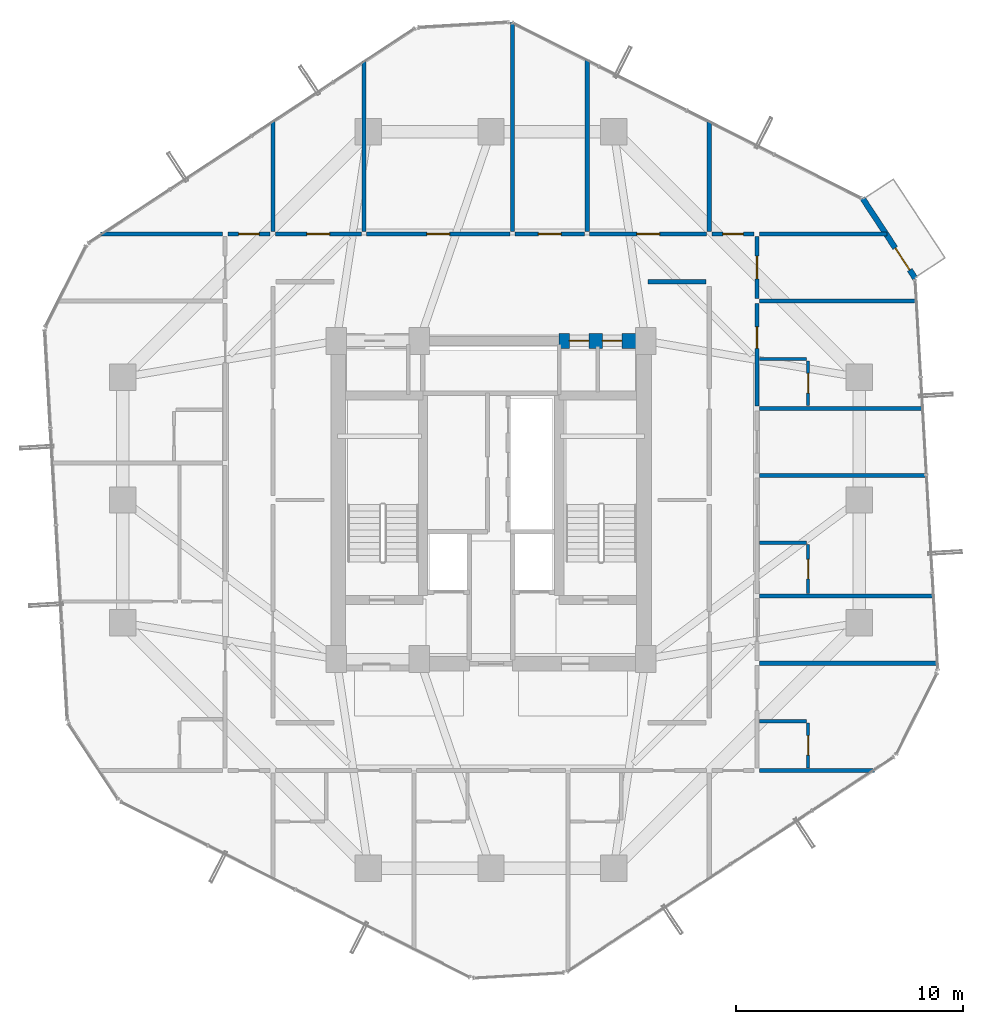
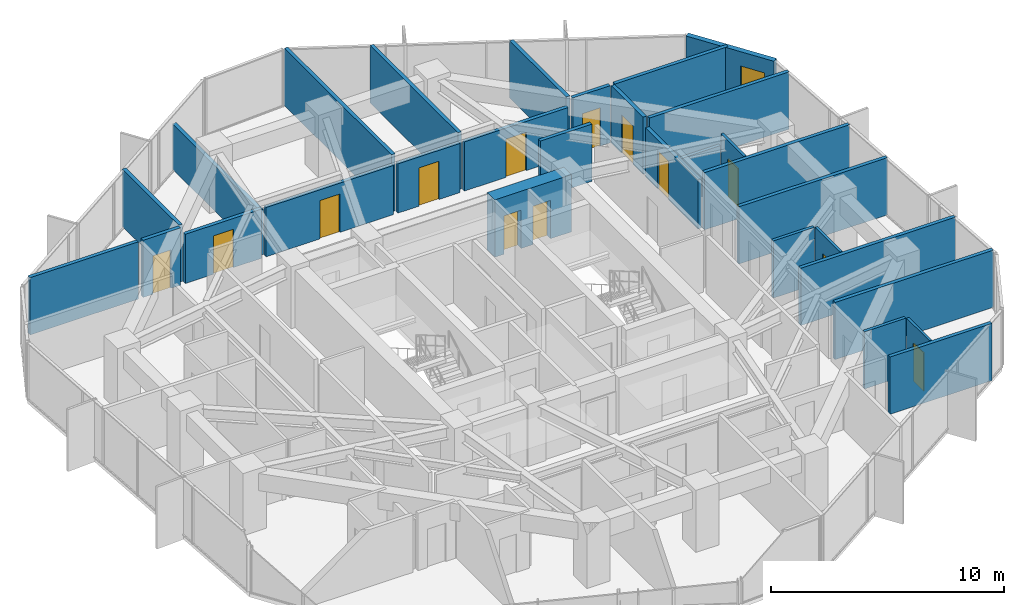
# One storey, part 30 of 33: 30 walls, 14 doors, 14 openings.
"""IFC4 building model written with IfcOpenShell, lengths in metres."""

from ifc_helpers import new_model, si_unit, direction, frame, frame_2d, origin, place, context, subcontext, project, spatial, rectangle, extrude, source, transform, mapped, material, layer, layer_set, type_object, element, fill, save


model = new_model("IFC4")

# Units and contexts
model_context = context("Model", 3, precision=1e-05, world=origin(), true_north=direction((0.0, 1.0)))
body_context = subcontext(model_context, "Body", "Model", "MODEL_VIEW")
ifc_project = project(units=[si_unit("LENGTHUNIT", "METRE"), si_unit("AREAUNIT", "SQUARE_METRE"), si_unit("VOLUMEUNIT", "CUBIC_METRE"), si_unit("PLANEANGLEUNIT", "RADIAN"), si_unit("MASSUNIT", "GRAM", prefix="KILO")], contexts=[model_context])

# Site, building, storey
site_placement = place(None, origin())
site = spatial("IfcSite", under=ifc_project, at=site_placement, CompositionType="ELEMENT")
building_placement = place(site_placement, origin())
building = spatial("IfcBuilding", under=site, at=building_placement, Name="Veraguas Prism Commons", CompositionType="ELEMENT")
storey_placement = place(building_placement, frame((0.0, 0.0, 139.25)))
storey = spatial("IfcBuildingStorey", under=building, at=storey_placement, Name="L39", CompositionType="ELEMENT", Elevation=139.25)

# Wall, openings, doors
ifc_material_1 = material(Name="Concrete C55/67", Category="concrete")
ifc_layer_1 = layer(ifc_material_1, 0.64990234375, Name="Core Outer Shear Wall Mid RC 650", Category="concrete")
ifc_layer_set_1 = layer_set([ifc_layer_1], Name="Concrete C55/67")
wall_type_1 = type_object("IfcWallType", Name="Core Outer Shear Wall Mid RC 650", PredefinedType="SHEAR", material=ifc_layer_set_1)
wall_1_placement = place(storey_placement, frame((27.0, 31.0, 0.0), z_axis=(0.0, 0.0, 1.0), x_axis=(1.0, 0.0, 0.0)))
wall_1 = element("IfcWall", 1, at=wall_1_placement, inside=storey, type_object=wall_type_1, Name="Central Core North-East Shear Wall L39", PredefinedType="SHEAR", context=body_context, shape_type="SweptSolid", body=[
    extrude(rectangle(XDim=3.800048828125, YDim=0.64990234375, at=frame_2d((1.89990234375, 0.0))), origin(), (0.0, 0.0, 1.0), 3.0),
])
opening_1_placement = place(wall_1_placement, frame((0.449951171875, 0.0, 0.0)))
opening_1 = element("IfcOpeningElement", 2, at=opening_1_placement, cuts=wall_1, Name="Opening DR-12", PredefinedType="OPENING", context=body_context, shape_type="SweptSolid", body=[
    extrude(rectangle(XDim=0.860107421875, YDim=2.010009765625, at=frame_2d((0.43017578125, 1.0048828125))), frame((0.0, 0.3349609375, 0.0), z_axis=(0.0, -1.0, 0.0), x_axis=(1.0, 0.0, 0.0)), (0.0, 0.0, 1.0), 0.669921875),
])
opening_2_placement = place(wall_1_placement, frame((1.89990234375, 0.0, 0.0)))
opening_2 = element("IfcOpeningElement", 3, at=opening_2_placement, cuts=wall_1, Name="Opening DR-12", PredefinedType="OPENING", context=body_context, shape_type="SweptSolid", body=[
    extrude(rectangle(XDim=0.860107421875, YDim=2.010009765625, at=frame_2d((0.43017578125, 1.0048828125))), frame((0.0, 0.3349609375, 0.0), z_axis=(0.0, -1.0, 0.0), x_axis=(1.0, 0.0, 0.0)), (0.0, 0.0, 1.0), 0.669921875),
])
ifc_material_2 = material(Name="Steel fire-rated door assembly", Category="steel")
door_type_1 = type_object("IfcDoorType", Name="Core WC Fire Door 860x2010", OperationType="NOTDEFINED", PredefinedType="DOOR", material=ifc_material_2)
shared_shape_1 = source(origin(), body_context, "Body", "SweptSolid", [
    extrude(rectangle(XDim=0.860107421875, YDim=2.010009765625, at=frame_2d((0.43017578125, 1.0048828125))), frame((0.0, 0.02490234375, 0.0), z_axis=(0.0, -1.0, 0.0), x_axis=(1.0, 0.0, 0.0)), (0.0, 0.0, 1.0), 0.050048828125),
])
door_1_placement = place(opening_1_placement, origin())
door_1 = element("IfcDoor", 4, at=door_1_placement, inside=storey, type_object=door_type_1, Name="Core NE Room A Door L39", OperationType="SINGLE_SWING_RIGHT", OverallHeight=2.010009765625, OverallWidth=0.860107421875, PredefinedType="DOOR", context=body_context, shape_type="MappedRepresentation", body=[
    mapped(shared_shape_1, transform((0.0, 0.0, 0.0), scale=1.0)),
])
fill(opening_1, door_1)
door_2_placement = place(opening_2_placement, origin())
door_2 = element("IfcDoor", 5, at=door_2_placement, inside=storey, type_object=door_type_1, Name="Core NE Room B Door L39", OperationType="SINGLE_SWING_LEFT", OverallHeight=2.010009765625, OverallWidth=0.860107421875, PredefinedType="DOOR", context=body_context, shape_type="MappedRepresentation", body=[
    mapped(shared_shape_1, transform((0.0, 0.0, 0.0), scale=1.0)),
])
fill(opening_2, door_2)

# Walls
ifc_material_3 = material(Name="Autoclaved aerated masonry block 10 MPa", Category="masonry")
ifc_layer_2 = layer(ifc_material_3, 0.179931640625, Name="Corridor and Inter-Tenancy Partition 180", Category="masonry")
ifc_layer_set_2 = layer_set([ifc_layer_2], Name="Autoclaved aerated masonry block 10 MPa")
wall_type_2 = type_object("IfcWallType", Name="Corridor and Inter-Tenancy Partition 180", PredefinedType="PARTITIONING", material=ifc_layer_set_2)
wall_2_placement = place(storey_placement, frame((30.89990234375, 33.60009765625, 0.0), z_axis=(0.0, 0.0, 1.0), x_axis=(1.0, 0.0, 0.0)))
element("IfcWall", 6, at=wall_2_placement, inside=storey, type_object=wall_type_2, Name="WL-L39-IREN", PredefinedType="PARTITIONING", context=body_context, shape_type="SweptSolid", body=[
    extrude(rectangle(XDim=2.550048828125, YDim=0.179931640625, at=frame_2d((1.27490234375, 0.0))), origin(), (0.0, 0.0, 1.0), 3.0),
])
wall_3_placement = place(storey_placement, frame((14.39990234375, 35.820068359375, 0.0), z_axis=(0.0, 0.0, 1.0), x_axis=(0.0, 1.0, 0.0)))
element("IfcWall", 7, at=wall_3_placement, inside=storey, type_object=wall_type_2, Name="WL-L39-PT014", PredefinedType="PARTITIONING", context=body_context, shape_type="SweptSolid", body=[
    extrude(rectangle(XDim=4.861083984375, YDim=0.179931640625, at=frame_2d((2.4306640625, 0.0))), origin(), (0.0, 0.0, 1.0), 3.0),
])
wall_4_placement = place(storey_placement, frame((33.60009765625, 35.820068359375, 0.0), z_axis=(0.0, 0.0, 1.0), x_axis=(0.0, 1.0, 0.0)))
element("IfcWall", 8, at=wall_4_placement, inside=storey, type_object=wall_type_2, Name="WL-L39-PT015", PredefinedType="PARTITIONING", context=body_context, shape_type="SweptSolid", body=[
    extrude(rectangle(XDim=4.857666015625, YDim=0.179931640625, at=frame_2d((2.4287109375, 0.0))), origin(), (0.0, 0.0, 1.0), 3.0),
])

# Wall, opening, door
wall_5_placement = place(storey_placement, frame((14.510009765625, 35.699951171875, 0.0), z_axis=(0.0, 0.0, 1.0), x_axis=(1.0, 0.0, 0.0)))
wall_5 = element("IfcWall", 9, at=wall_5_placement, inside=storey, type_object=wall_type_2, Name="WL-L39-PT016", PredefinedType="PARTITIONING", context=body_context, shape_type="SweptSolid", body=[
    extrude(rectangle(XDim=3.787109375, YDim=0.179931640625, at=frame_2d((1.8935546875, 0.0))), origin(), (0.0, 0.0, 1.0), 2.580078125),
])
opening_3_placement = place(wall_5_placement, frame((1.3935546875, 0.0, 0.0)))
opening_3 = element("IfcOpeningElement", 10, at=opening_3_placement, cuts=wall_5, Name="Opening DR-13", PredefinedType="OPENING", context=body_context, shape_type="SweptSolid", body=[
    extrude(rectangle(XDim=1.0, YDim=2.010009765625, at=frame_2d((0.5, 1.0048828125))), frame((0.0, 0.099853515625, 0.0), z_axis=(0.0, -1.0, 0.0), x_axis=(1.0, 0.0, 0.0)), (0.0, 0.0, 1.0), 0.199951171875),
])
door_type_2 = type_object("IfcDoorType", Name="Core Accessible WC and Clinic Fire Door 1000x2010", OperationType="NOTDEFINED", PredefinedType="DOOR", material=ifc_material_2)
shared_shape_2 = source(origin(), body_context, "Body", "SweptSolid", [
    extrude(rectangle(XDim=1.0, YDim=2.010009765625, at=frame_2d((0.5, 1.0048828125))), frame((0.0, 0.02490234375, 0.0), z_axis=(0.0, -1.0, 0.0), x_axis=(1.0, 0.0, 0.0)), (0.0, 0.0, 1.0), 0.050048828125),
])
door_3_placement = place(opening_3_placement, origin())
door_3 = element("IfcDoor", 11, at=door_3_placement, inside=storey, type_object=door_type_2, Name="Residents Study Room Door", OperationType="SINGLE_SWING_LEFT", OverallHeight=2.010009765625, OverallWidth=1.0, PredefinedType="DOOR", context=body_context, shape_type="MappedRepresentation", body=[
    mapped(shared_shape_2, transform((0.0, 0.0, 0.0), scale=1.0)),
])
fill(opening_3, door_3)

wall_6_placement = place(storey_placement, frame((18.51708984375, 35.699951171875, 0.0), z_axis=(0.0, 0.0, 1.0), x_axis=(1.0, 0.0, 0.0)))
wall_6 = element("IfcWall", 12, at=wall_6_placement, inside=storey, type_object=wall_type_2, Name="WL-L39-PT017", PredefinedType="PARTITIONING", context=body_context, shape_type="SweptSolid", body=[
    extrude(rectangle(XDim=6.31689453125, YDim=0.179931640625, at=frame_2d((3.158447265625, 0.0))), origin(), (0.0, 0.0, 1.0), 2.580078125),
])
opening_4_placement = place(wall_6_placement, frame((2.658447265625, 0.0, 0.0)))
opening_4 = element("IfcOpeningElement", 13, at=opening_4_placement, cuts=wall_6, Name="Opening DR-13", PredefinedType="OPENING", context=body_context, shape_type="SweptSolid", body=[
    extrude(rectangle(XDim=1.0, YDim=2.010009765625, at=frame_2d((0.5, 1.0048828125))), frame((0.0, 0.099853515625, 0.0), z_axis=(0.0, -1.0, 0.0), x_axis=(1.0, 0.0, 0.0)), (0.0, 0.0, 1.0), 0.199951171875),
])
door_4_placement = place(opening_4_placement, origin())
door_4 = element("IfcDoor", 14, at=door_4_placement, inside=storey, type_object=door_type_2, Name="Co-op Store N Door", OperationType="SINGLE_SWING_RIGHT", OverallHeight=2.010009765625, OverallWidth=1.0, PredefinedType="DOOR", context=body_context, shape_type="MappedRepresentation", body=[
    mapped(shared_shape_2, transform((0.0, 0.0, 0.0), scale=1.0)),
])
fill(opening_4, door_4)

# Walls
wall_7_placement = place(storey_placement, frame((18.406982421875, 35.820068359375, 0.0), z_axis=(0.0, 0.0, 1.0), x_axis=(0.0, 1.0, 0.0)))
element("IfcWall", 15, at=wall_7_placement, inside=storey, type_object=wall_type_2, Name="WL-L39-PT018", PredefinedType="PARTITIONING", context=body_context, shape_type="SweptSolid", body=[
    extrude(rectangle(XDim=7.4951171875, YDim=0.179931640625, at=frame_2d((3.74755859375, 0.0))), origin(), (0.0, 0.0, 1.0), 2.3779296875),
])
wall_8_placement = place(storey_placement, frame((24.944091796875, 35.820068359375, 0.0), z_axis=(0.0, 0.0, 1.0), x_axis=(0.0, 1.0, 0.0)))
element("IfcWall", 16, at=wall_8_placement, inside=storey, type_object=wall_type_2, Name="WL-L39-PT019", PredefinedType="PARTITIONING", context=body_context, shape_type="SweptSolid", body=[
    extrude(rectangle(XDim=9.207275390625, YDim=0.179931640625, at=frame_2d((4.603515625, 0.0))), origin(), (0.0, 0.0, 1.0), 3.0),
])

# Wall, opening, door
wall_9_placement = place(storey_placement, frame((25.053955078125, 35.699951171875, 0.0), z_axis=(0.0, 0.0, 1.0), x_axis=(1.0, 0.0, 0.0)))
wall_9 = element("IfcWall", 17, at=wall_9_placement, inside=storey, type_object=wall_type_2, Name="WL-L39-PT020", PredefinedType="PARTITIONING", context=body_context, shape_type="SweptSolid", body=[
    extrude(rectangle(XDim=3.069091796875, YDim=0.179931640625, at=frame_2d((1.53466796875, 0.0))), origin(), (0.0, 0.0, 1.0), 2.580078125),
])
opening_5_placement = place(wall_9_placement, frame((1.034423828125, 0.0, 0.0)))
opening_5 = element("IfcOpeningElement", 18, at=opening_5_placement, cuts=wall_9, Name="Opening DR-13", PredefinedType="OPENING", context=body_context, shape_type="SweptSolid", body=[
    extrude(rectangle(XDim=1.0, YDim=2.010009765625, at=frame_2d((0.5, 1.0048828125))), frame((0.0, 0.099853515625, 0.0), z_axis=(0.0, -1.0, 0.0), x_axis=(1.0, 0.0, 0.0)), (0.0, 0.0, 1.0), 0.199951171875),
])
door_5_placement = place(opening_5_placement, origin())
door_5 = element("IfcDoor", 19, at=door_5_placement, inside=storey, type_object=door_type_2, Name="Shared Laundry Room Door", OperationType="SINGLE_SWING_LEFT", OverallHeight=2.010009765625, OverallWidth=1.0, PredefinedType="DOOR", context=body_context, shape_type="MappedRepresentation", body=[
    mapped(shared_shape_2, transform((0.0, 0.0, 0.0), scale=1.0)),
])
fill(opening_5, door_5)

wall_10_placement = place(storey_placement, frame((28.343017578125, 35.699951171875, 0.0), z_axis=(0.0, 0.0, 1.0), x_axis=(1.0, 0.0, 0.0)))
wall_10 = element("IfcWall", 20, at=wall_10_placement, inside=storey, type_object=wall_type_2, Name="WL-L39-PT021", PredefinedType="PARTITIONING", context=body_context, shape_type="SweptSolid", body=[
    extrude(rectangle(XDim=5.14697265625, YDim=0.179931640625, at=frame_2d((2.573486328125, 0.0))), origin(), (0.0, 0.0, 1.0), 2.580078125),
])
opening_6_placement = place(wall_10_placement, frame((2.073486328125, 0.0, 0.0)))
opening_6 = element("IfcOpeningElement", 21, at=opening_6_placement, cuts=wall_10, Name="Opening DR-13", PredefinedType="OPENING", context=body_context, shape_type="SweptSolid", body=[
    extrude(rectangle(XDim=1.0, YDim=2.010009765625, at=frame_2d((0.5, 1.0048828125))), frame((0.0, 0.099853515625, 0.0), z_axis=(0.0, -1.0, 0.0), x_axis=(1.0, 0.0, 0.0)), (0.0, 0.0, 1.0), 0.199951171875),
])
door_6_placement = place(opening_6_placement, origin())
door_6 = element("IfcDoor", 22, at=door_6_placement, inside=storey, type_object=door_type_2, Name="Co-op Store N Door", OperationType="SINGLE_SWING_RIGHT", OverallHeight=2.010009765625, OverallWidth=1.0, PredefinedType="DOOR", context=body_context, shape_type="MappedRepresentation", body=[
    mapped(shared_shape_2, transform((0.0, 0.0, 0.0), scale=1.0)),
])
fill(opening_6, door_6)

# Walls
wall_11_placement = place(storey_placement, frame((28.23291015625, 35.820068359375, 0.0), z_axis=(0.0, 0.0, 1.0), x_axis=(0.0, 1.0, 0.0)))
element("IfcWall", 23, at=wall_11_placement, inside=storey, type_object=wall_type_2, Name="WL-L39-PT022", PredefinedType="PARTITIONING", context=body_context, shape_type="SweptSolid", body=[
    extrude(rectangle(XDim=7.5546875, YDim=0.179931640625, at=frame_2d((3.77734375, 0.0))), origin(), (0.0, 0.0, 1.0), 3.0),
])
wall_12_placement = place(storey_placement, frame((12.179931640625, 35.699951171875, 0.0), z_axis=(0.0, 0.0, 1.0), x_axis=(-1.0, 0.0, 0.0)))
element("IfcWall", 24, at=wall_12_placement, inside=storey, type_object=wall_type_2, Name="WL-L39-PT024", PredefinedType="PARTITIONING", context=body_context, shape_type="SweptSolid", body=[
    extrude(rectangle(XDim=5.357421875, YDim=0.179931640625, at=frame_2d((2.6787109375, 0.0))), origin(), (0.0, 0.0, 1.0), 3.0),
])
wall_13_placement = place(storey_placement, frame((35.820068359375, 12.10009765625, 0.0), z_axis=(0.0, 0.0, 1.0), x_axis=(1.0, 0.0, 0.0)))
element("IfcWall", 25, at=wall_13_placement, inside=storey, type_object=wall_type_2, Name="WL-L39-PT037", PredefinedType="PARTITIONING", context=body_context, shape_type="SweptSolid", body=[
    extrude(rectangle(XDim=5.05322265625, YDim=0.179931640625, at=frame_2d((2.526611328125, 0.0))), origin(), (0.0, 0.0, 1.0), 3.0),
])
wall_14_placement = place(storey_placement, frame((35.820068359375, 35.699951171875, 0.0), z_axis=(0.0, 0.0, 1.0), x_axis=(1.0, 0.0, 0.0)))
element("IfcWall", 26, at=wall_14_placement, inside=storey, type_object=wall_type_2, Name="WL-L39-PT038", PredefinedType="PARTITIONING", context=body_context, shape_type="SweptSolid", body=[
    extrude(rectangle(XDim=5.59716796875, YDim=0.179931640625, at=frame_2d((2.798583984375, 0.0))), origin(), (0.0, 0.0, 1.0), 3.0),
])
wall_15_placement = place(storey_placement, frame((35.820068359375, 16.818115234375, 0.0), z_axis=(0.0, 0.0, 1.0), x_axis=(1.0, 0.0, 0.0)))
element("IfcWall", 27, at=wall_15_placement, inside=storey, type_object=wall_type_2, Name="WL-L39-PT040", PredefinedType="PARTITIONING", context=body_context, shape_type="SweptSolid", body=[
    extrude(rectangle(XDim=7.84130859375, YDim=0.179931640625, at=frame_2d((3.920654296875, 0.0))), origin(), (0.0, 0.0, 1.0), 3.0),
])
wall_16_placement = place(storey_placement, frame((35.820068359375, 19.76806640625, 0.0), z_axis=(0.0, 0.0, 1.0), x_axis=(1.0, 0.0, 0.0)))
element("IfcWall", 28, at=wall_16_placement, inside=storey, type_object=wall_type_2, Name="WL-L39-PT044", PredefinedType="PARTITIONING", context=body_context, shape_type="SweptSolid", body=[
    extrude(rectangle(XDim=7.670166015625, YDim=0.179931640625, at=frame_2d((3.8349609375, 0.0))), origin(), (0.0, 0.0, 1.0), 3.0),
])
wall_17_placement = place(storey_placement, frame((35.820068359375, 25.08203125, 0.0), z_axis=(0.0, 0.0, 1.0), x_axis=(1.0, 0.0, 0.0)))
element("IfcWall", 29, at=wall_17_placement, inside=storey, type_object=wall_type_2, Name="WL-L39-PT046", PredefinedType="PARTITIONING", context=body_context, shape_type="SweptSolid", body=[
    extrude(rectangle(XDim=7.36181640625, YDim=0.179931640625, at=frame_2d((3.680908203125, 0.0))), origin(), (0.0, 0.0, 1.0), 3.0),
])
wall_18_placement = place(storey_placement, frame((35.820068359375, 28.031982421875, 0.0), z_axis=(0.0, 0.0, 1.0), x_axis=(1.0, 0.0, 0.0)))
element("IfcWall", 30, at=wall_18_placement, inside=storey, type_object=wall_type_2, Name="WL-L39-PT050", PredefinedType="PARTITIONING", context=body_context, shape_type="SweptSolid", body=[
    extrude(rectangle(XDim=7.19091796875, YDim=0.179931640625, at=frame_2d((3.595458984375, 0.0))), origin(), (0.0, 0.0, 1.0), 3.0),
])

# Wall, opening, door
wall_19_placement = place(storey_placement, frame((35.699951171875, 32.860107421875, 0.0), z_axis=(0.0, 0.0, 1.0), x_axis=(0.0, 1.0, 0.0)))
wall_19 = element("IfcWall", 31, at=wall_19_placement, inside=storey, type_object=wall_type_2, Name="WL-L39-PT051", PredefinedType="PARTITIONING", context=body_context, shape_type="SweptSolid", body=[
    extrude(rectangle(XDim=2.72998046875, YDim=0.179931640625, at=frame_2d((1.364990234375, 0.0))), origin(), (0.0, 0.0, 1.0), 3.0),
])
opening_7_placement = place(wall_19_placement, frame((0.864990234375, 0.0, 0.0)))
opening_7 = element("IfcOpeningElement", 32, at=opening_7_placement, cuts=wall_19, Name="Opening DR-13", PredefinedType="OPENING", context=body_context, shape_type="SweptSolid", body=[
    extrude(rectangle(XDim=1.0, YDim=2.010009765625, at=frame_2d((0.5, 1.0048828125))), frame((0.0, 0.099853515625, 0.0), z_axis=(0.0, -1.0, 0.0), x_axis=(1.0, 0.0, 0.0)), (0.0, 0.0, 1.0), 0.199951171875),
])
door_7_placement = place(opening_7_placement, origin())
door_7 = element("IfcDoor", 33, at=door_7_placement, inside=storey, type_object=door_type_2, Name="Quiet Study E Door", OperationType="SINGLE_SWING_RIGHT", OverallHeight=2.010009765625, OverallWidth=1.0, PredefinedType="DOOR", context=body_context, shape_type="MappedRepresentation", body=[
    mapped(shared_shape_2, transform((0.0, 0.0, 0.0), scale=1.0)),
])
fill(opening_7, door_7)

# Wall
wall_20_placement = place(storey_placement, frame((35.820068359375, 32.75, 0.0), z_axis=(0.0, 0.0, 1.0), x_axis=(1.0, 0.0, 0.0)))
element("IfcWall", 34, at=wall_20_placement, inside=storey, type_object=wall_type_2, Name="WL-L39-PT052", PredefinedType="PARTITIONING", context=body_context, shape_type="SweptSolid", body=[
    extrude(rectangle(XDim=6.917236328125, YDim=0.179931640625, at=frame_2d((3.45849609375, 0.0))), origin(), (0.0, 0.0, 1.0), 3.0),
])

# Wall, opening, door
wall_21_placement = place(storey_placement, frame((35.699951171875, 28.14208984375, 0.0), z_axis=(0.0, 0.0, 1.0), x_axis=(0.0, 1.0, 0.0)))
wall_21 = element("IfcWall", 35, at=wall_21_placement, inside=storey, type_object=wall_type_2, Name="WL-L39-PT053", PredefinedType="PARTITIONING", context=body_context, shape_type="SweptSolid", body=[
    extrude(rectangle(XDim=4.497802734375, YDim=0.179931640625, at=frame_2d((2.2490234375, 0.0))), origin(), (0.0, 0.0, 1.0), 2.580078125),
])
opening_8_placement = place(wall_21_placement, frame((2.529541015625, 0.0, 0.0)))
opening_8 = element("IfcOpeningElement", 36, at=opening_8_placement, cuts=wall_21, Name="Opening DR-01", PredefinedType="OPENING", context=body_context, shape_type="SweptSolid", body=[
    extrude(rectangle(XDim=0.949951171875, YDim=2.02001953125, at=frame_2d((0.47509765625, 1.010009765625))), frame((0.0, 0.099853515625, 0.0), z_axis=(0.0, -1.0, 0.0), x_axis=(1.0, 0.0, 0.0)), (0.0, 0.0, 1.0), 0.199951171875),
])
ifc_material_4 = material(Name="Anodised aluminium EN AW-6063 T6", Category="aluminium")
door_type_3 = type_object("IfcDoorType", Name="Apartment Entrance Fire Door 950x2020", OperationType="NOTDEFINED", PredefinedType="DOOR", material=ifc_material_4)
shared_shape_3 = source(origin(), body_context, "Body", "SweptSolid", [
    extrude(rectangle(XDim=0.949951171875, YDim=2.02001953125, at=frame_2d((0.47509765625, 1.010009765625))), frame((0.0, 0.02490234375, 0.0), z_axis=(0.0, -1.0, 0.0), x_axis=(1.0, 0.0, 0.0)), (0.0, 0.0, 1.0), 0.050048828125),
])
door_8_placement = place(opening_8_placement, origin())
door_8 = element("IfcDoor", 37, at=door_8_placement, inside=storey, type_object=door_type_3, Name="Studio 39H Entrance Door", OperationType="SINGLE_SWING_LEFT", OverallHeight=2.02001953125, OverallWidth=0.949951171875, PredefinedType="DOOR", context=body_context, shape_type="MappedRepresentation", body=[
    mapped(shared_shape_3, transform((0.0, 0.0, 0.0), scale=1.0)),
])
fill(opening_8, door_8)

wall_22_placement = place(storey_placement, frame((12.419921875, 35.699951171875, 0.0), z_axis=(0.0, 0.0, 1.0), x_axis=(1.0, 0.0, 0.0)))
wall_22 = element("IfcWall", 38, at=wall_22_placement, inside=storey, type_object=wall_type_2, Name="WL-L39-PT058", PredefinedType="PARTITIONING", context=body_context, shape_type="SweptSolid", body=[
    extrude(rectangle(XDim=1.860107421875, YDim=0.179931640625, at=frame_2d((0.93017578125, 0.0))), origin(), (0.0, 0.0, 1.0), 3.0),
])
opening_9_placement = place(wall_22_placement, frame((0.47998046875, 0.0, 0.0)))
opening_9 = element("IfcOpeningElement", 39, at=opening_9_placement, cuts=wall_22, Name="Opening DR-14", PredefinedType="OPENING", context=body_context, shape_type="SweptSolid", body=[
    extrude(rectangle(XDim=0.89990234375, YDim=2.010009765625, at=frame_2d((0.449951171875, 1.0048828125))), frame((0.0, 0.099853515625, 0.0), z_axis=(0.0, -1.0, 0.0), x_axis=(1.0, 0.0, 0.0)), (0.0, 0.0, 1.0), 0.199951171875),
])
door_type_4 = type_object("IfcDoorType", Name="Core Service Room Fire Door 900x2010", OperationType="NOTDEFINED", PredefinedType="DOOR", material=ifc_material_2)
shared_shape_4 = source(origin(), body_context, "Body", "SweptSolid", [
    extrude(rectangle(XDim=0.89990234375, YDim=2.010009765625, at=frame_2d((0.449951171875, 1.0048828125))), frame((0.0, 0.02490234375, 0.0), z_axis=(0.0, -1.0, 0.0), x_axis=(1.0, 0.0, 0.0)), (0.0, 0.0, 1.0), 0.050048828125),
])
door_9_placement = place(opening_9_placement, origin())
door_9 = element("IfcDoor", 40, at=door_9_placement, inside=storey, type_object=door_type_4, Name="Residents Cycle and Pram Store NW Door", OperationType="SINGLE_SWING_LEFT", OverallHeight=2.010009765625, OverallWidth=0.89990234375, PredefinedType="DOOR", context=body_context, shape_type="MappedRepresentation", body=[
    mapped(shared_shape_4, transform((0.0, 0.0, 0.0), scale=1.0)),
])
fill(opening_9, door_9)

wall_23_placement = place(storey_placement, frame((33.719970703125, 35.699951171875, 0.0), z_axis=(0.0, 0.0, 1.0), x_axis=(1.0, 0.0, 0.0)))
wall_23 = element("IfcWall", 41, at=wall_23_placement, inside=storey, type_object=wall_type_2, Name="WL-L39-PT059", PredefinedType="PARTITIONING", context=body_context, shape_type="SweptSolid", body=[
    extrude(rectangle(XDim=1.860107421875, YDim=0.179931640625, at=frame_2d((0.93017578125, 0.0))), origin(), (0.0, 0.0, 1.0), 3.0),
])
opening_10_placement = place(wall_23_placement, frame((0.47998046875, 0.0, 0.0)))
opening_10 = element("IfcOpeningElement", 42, at=opening_10_placement, cuts=wall_23, Name="Opening DR-14", PredefinedType="OPENING", context=body_context, shape_type="SweptSolid", body=[
    extrude(rectangle(XDim=0.89990234375, YDim=2.010009765625, at=frame_2d((0.449951171875, 1.0048828125))), frame((0.0, 0.099853515625, 0.0), z_axis=(0.0, -1.0, 0.0), x_axis=(1.0, 0.0, 0.0)), (0.0, 0.0, 1.0), 0.199951171875),
])
door_10_placement = place(opening_10_placement, origin())
door_10 = element("IfcDoor", 43, at=door_10_placement, inside=storey, type_object=door_type_4, Name="Residents Corner Study Room NE Door", OperationType="SINGLE_SWING_RIGHT", OverallHeight=2.010009765625, OverallWidth=0.89990234375, PredefinedType="DOOR", context=body_context, shape_type="MappedRepresentation", body=[
    mapped(shared_shape_4, transform((0.0, 0.0, 0.0), scale=1.0)),
])
fill(opening_10, door_10)

ifc_material_5 = material(Name="Precast concrete C40/50", Category="concrete")
ifc_layer_3 = layer(ifc_material_5, 0.25, Name="External Loggia and Portal Wall 250", Category="concrete")
ifc_layer_set_3 = layer_set([ifc_layer_3], Name="Precast concrete C40/50")
wall_type_3 = type_object("IfcWallType", Name="External Loggia and Portal Wall 250", PredefinedType="SOLIDWALL", material=ifc_layer_set_3)
wall_24_placement = place(storey_placement, frame((42.669921875, 33.739990234375, 0.0), z_axis=(0.0, 0.0, 1.0), x_axis=(-0.54932518159, 0.835608667303, 0.0)))
wall_24 = element("IfcWall", 44, at=wall_24_placement, inside=storey, type_object=wall_type_3, Name="Corner Loggia Wall L39-C1", PredefinedType="SOLIDWALL", context=body_context, shape_type="SweptSolid", body=[
    extrude(rectangle(XDim=4.233154296875, YDim=0.25, at=frame_2d((2.11669921875, 0.0))), origin(), (0.0, 0.0, 1.0), 3.0),
])
opening_11_placement = place(wall_24_placement, frame((0.4599609375, 0.0, 0.0)))
opening_11 = element("IfcOpeningElement", 45, at=opening_11_placement, cuts=wall_24, Name="Opening DR-10", PredefinedType="OPENING", context=body_context, shape_type="SweptSolid", body=[
    extrude(rectangle(XDim=1.14990234375, YDim=2.25, at=frame_2d((0.574951171875, 1.125))), frame((0.0, 0.135009765625, 0.0), z_axis=(0.0, -1.0, 0.0), x_axis=(1.0, 0.0, 0.0)), (0.0, 0.0, 1.0), 0.27001953125),
])
door_type_5 = type_object("IfcDoorType", Name="Glazed Loggia and Terrace Door 1150x2250", OperationType="NOTDEFINED", PredefinedType="DOOR", material=ifc_material_4)
shared_shape_5 = source(origin(), body_context, "Body", "SweptSolid", [
    extrude(rectangle(XDim=1.14990234375, YDim=2.25, at=frame_2d((0.574951171875, 1.125))), frame((0.0, 0.02490234375, 0.0), z_axis=(0.0, -1.0, 0.0), x_axis=(1.0, 0.0, 0.0)), (0.0, 0.0, 1.0), 0.050048828125),
])
door_11_placement = place(opening_11_placement, frame((1.14990234375, 0.0, 0.0), z_axis=(0.0, 0.0, 1.0), x_axis=(-1.0, 0.0, 0.0)))
door_11 = element("IfcDoor", 46, at=door_11_placement, inside=storey, type_object=door_type_5, Name="Recessed Loggia Door L39-C1", OperationType="SINGLE_SWING_LEFT", OverallHeight=2.25, OverallWidth=1.14990234375, PredefinedType="DOOR", context=body_context, shape_type="MappedRepresentation", body=[
    mapped(shared_shape_5, transform((0.0, 0.0, 0.0), scale=1.0)),
])
fill(opening_11, door_11)

ifc_material_6 = material(Name="Lightweight acoustic gypsum board")
ifc_layer_4 = layer(ifc_material_6, 0.125, Name="Internal Apartment Room Partition 125")
ifc_layer_set_4 = layer_set([ifc_layer_4], Name="Lightweight acoustic gypsum board")
wall_type_4 = type_object("IfcWallType", Name="Internal Apartment Room Partition 125", PredefinedType="PARTITIONING", material=ifc_layer_set_4)
wall_25_placement = place(storey_placement, frame((37.949951171875, 12.219970703125, 0.0), z_axis=(0.0, 0.0, 1.0), x_axis=(0.0, 1.0, 0.0)))
wall_25 = element("IfcWall", 47, at=wall_25_placement, inside=storey, type_object=wall_type_4, Name="WL-L39-PT043", PredefinedType="PARTITIONING", context=body_context, shape_type="SweptSolid", body=[
    extrude(rectangle(XDim=1.969970703125, YDim=0.125, at=frame_2d((0.98486328125, 0.0))), origin(), (0.0, 0.0, 1.0), 3.0),
])
opening_12_placement = place(wall_25_placement, frame((0.554931640625, 0.0, 0.0)))
opening_12 = element("IfcOpeningElement", 48, at=opening_12_placement, cuts=wall_25, Name="Opening DR-03", PredefinedType="OPENING", context=body_context, shape_type="SweptSolid", body=[
    extrude(rectangle(XDim=0.860107421875, YDim=2.010009765625, at=frame_2d((0.43017578125, 1.0048828125))), frame((0.0, 0.072509765625, 0.0), z_axis=(0.0, -1.0, 0.0), x_axis=(1.0, 0.0, 0.0)), (0.0, 0.0, 1.0), 0.14501953125),
])
ifc_material_7 = material(Name="Timber moisture-resistant leaf", Category="wood")
door_type_6 = type_object("IfcDoorType", Name="Internal Bathroom Door 860x2010", OperationType="NOTDEFINED", PredefinedType="DOOR", material=ifc_material_7)
door_12_placement = place(opening_12_placement, origin())
door_12 = element("IfcDoor", 49, at=door_12_placement, inside=storey, type_object=door_type_6, Name="Studio 39F Bathroom Door", OperationType="SINGLE_SWING_RIGHT", OverallHeight=2.010009765625, OverallWidth=0.860107421875, PredefinedType="DOOR", context=body_context, shape_type="MappedRepresentation", body=[
    mapped(shared_shape_1, transform((0.0, 0.0, 0.0), scale=1.0)),
])
fill(opening_12, door_12)

wall_26_placement = place(storey_placement, frame((37.949951171875, 19.887939453125, 0.0), z_axis=(0.0, 0.0, 1.0), x_axis=(0.0, 1.0, 0.0)))
wall_26 = element("IfcWall", 50, at=wall_26_placement, inside=storey, type_object=wall_type_4, Name="WL-L39-PT049", PredefinedType="PARTITIONING", context=body_context, shape_type="SweptSolid", body=[
    extrude(rectangle(XDim=2.150146484375, YDim=0.125, at=frame_2d((1.0751953125, 0.0))), origin(), (0.0, 0.0, 1.0), 3.0),
])
opening_13_placement = place(wall_26_placement, frame((0.64501953125, 0.0, 0.0)))
opening_13 = element("IfcOpeningElement", 51, at=opening_13_placement, cuts=wall_26, Name="Opening DR-03", PredefinedType="OPENING", context=body_context, shape_type="SweptSolid", body=[
    extrude(rectangle(XDim=0.860107421875, YDim=2.010009765625, at=frame_2d((0.43017578125, 1.0048828125))), frame((0.0, 0.072509765625, 0.0), z_axis=(0.0, -1.0, 0.0), x_axis=(1.0, 0.0, 0.0)), (0.0, 0.0, 1.0), 0.14501953125),
])
door_13_placement = place(opening_13_placement, origin())
door_13 = element("IfcDoor", 52, at=door_13_placement, inside=storey, type_object=door_type_6, Name="Studio 39G Bathroom Door", OperationType="SINGLE_SWING_LEFT", OverallHeight=2.010009765625, OverallWidth=0.860107421875, PredefinedType="DOOR", context=body_context, shape_type="MappedRepresentation", body=[
    mapped(shared_shape_1, transform((0.0, 0.0, 0.0), scale=1.0)),
])
fill(opening_13, door_13)

wall_27_placement = place(storey_placement, frame((37.949951171875, 28.152099609375, 0.0), z_axis=(0.0, 0.0, 1.0), x_axis=(0.0, 1.0, 0.0)))
wall_27 = element("IfcWall", 53, at=wall_27_placement, inside=storey, type_object=wall_type_4, Name="WL-L39-PT055", PredefinedType="PARTITIONING", context=body_context, shape_type="SweptSolid", body=[
    extrude(rectangle(XDim=1.969970703125, YDim=0.125, at=frame_2d((0.98486328125, 0.0))), origin(), (0.0, 0.0, 1.0), 3.0),
])
opening_14_placement = place(wall_27_placement, frame((0.554931640625, 0.0, 0.0)))
opening_14 = element("IfcOpeningElement", 54, at=opening_14_placement, cuts=wall_27, Name="Opening DR-03", PredefinedType="OPENING", context=body_context, shape_type="SweptSolid", body=[
    extrude(rectangle(XDim=0.860107421875, YDim=2.010009765625, at=frame_2d((0.43017578125, 1.0048828125))), frame((0.0, 0.072509765625, 0.0), z_axis=(0.0, -1.0, 0.0), x_axis=(1.0, 0.0, 0.0)), (0.0, 0.0, 1.0), 0.14501953125),
])
door_14_placement = place(opening_14_placement, origin())
door_14 = element("IfcDoor", 55, at=door_14_placement, inside=storey, type_object=door_type_6, Name="Studio 39H Bathroom Door", OperationType="SINGLE_SWING_RIGHT", OverallHeight=2.010009765625, OverallWidth=0.860107421875, PredefinedType="DOOR", context=body_context, shape_type="MappedRepresentation", body=[
    mapped(shared_shape_1, transform((0.0, 0.0, 0.0), scale=1.0)),
])
fill(opening_14, door_14)

# Walls
ifc_layer_5 = layer(ifc_material_6, 0.14990234375, Name="Wet Room and Clinic Acoustic Partition 150")
ifc_layer_set_5 = layer_set([ifc_layer_5], Name="Lightweight acoustic gypsum board")
wall_type_5 = type_object("IfcWallType", Name="Wet Room and Clinic Acoustic Partition 150", PredefinedType="PARTITIONING", material=ifc_layer_set_5)
for number, where, z_axis, x_axis, name in (
    (56, (35.820068359375, 14.27001953125, 0.0), (0.0, 0.0, 1.0), (1.0, 0.0, 0.0), "WL-L39-PT042"),
    (57, (35.820068359375, 22.117919921875, 0.0), (0.0, 0.0, 1.0), (1.0, 0.0, 0.0), "WL-L39-PT048"),
):
    element("IfcWall", number, at=place(storey_placement, frame(where, z_axis=z_axis, x_axis=x_axis)), inside=storey, type_object=wall_type_5, Name=name, PredefinedType="PARTITIONING", context=body_context, shape_type="SweptSolid", body=[
        extrude(rectangle(XDim=2.050048828125, YDim=0.14990234375, at=frame_2d((1.02490234375, 0.0))), origin(), (0.0, 0.0, 1.0), 3.0),
    ])
wall_28_placement = place(storey_placement, frame((35.820068359375, 30.201904296875, 0.0), z_axis=(0.0, 0.0, 1.0), x_axis=(1.0, 0.0, 0.0)))
element("IfcWall", 58, at=wall_28_placement, inside=storey, type_object=wall_type_5, Name="WL-L39-PT054", PredefinedType="PARTITIONING", context=body_context, shape_type="SweptSolid", body=[
    extrude(rectangle(XDim=2.050048828125, YDim=0.14990234375, at=frame_2d((1.02490234375, 0.0))), origin(), (0.0, 0.0, 1.0), 2.3779296875),
])

save(model, "model.ifc")
